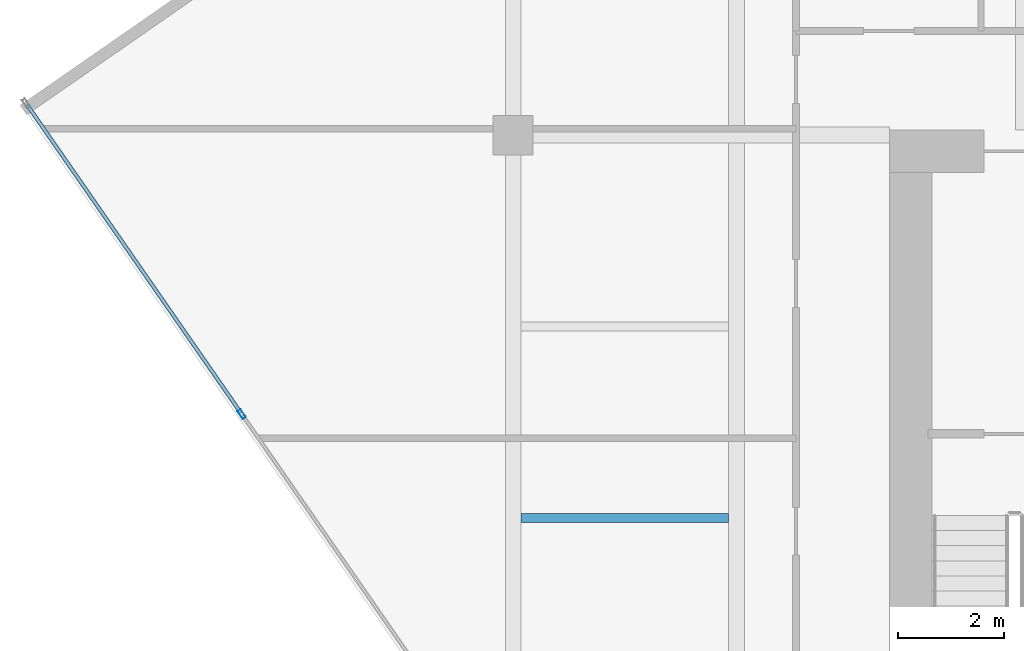
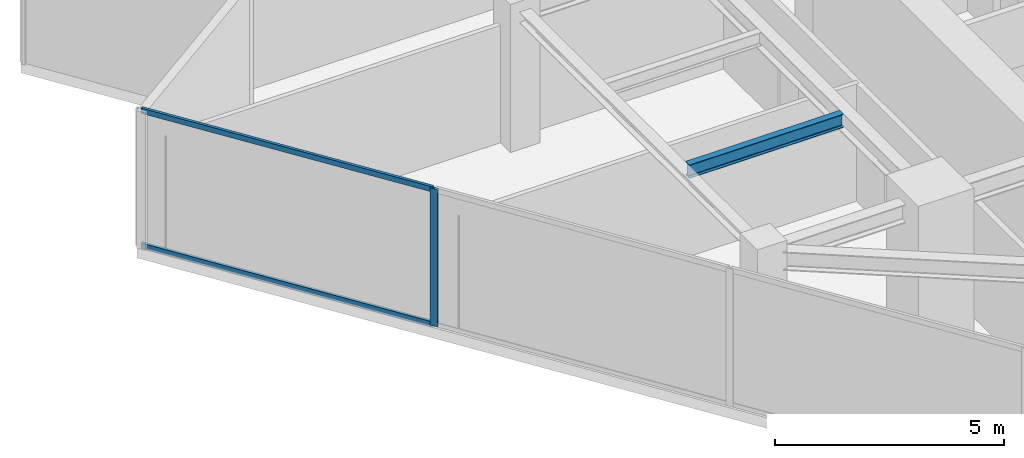
# One storey, part 4 of 21: 3 members, 1 beam, 1 element without a shape of its own.
"""IFC4 building model written with IfcOpenShell, lengths in metres."""

from ifc_helpers import new_model, si_unit, direction, frame, origin, origin_2d, place, context, subcontext, project, spatial, hollow_rectangle, i_section, extrude, source, transform, mapped, material, material_profile, profile_set, type_object, type_shapes, element, aggregate, save


model = new_model("IFC4")

# Units and contexts
model_context = context("Model", 3, precision=1e-05, world=origin(), true_north=direction((0.0, 1.0)))
body_context = subcontext(model_context, "Body", "Model", "MODEL_VIEW")
ifc_project = project(units=[si_unit("LENGTHUNIT", "METRE"), si_unit("AREAUNIT", "SQUARE_METRE"), si_unit("VOLUMEUNIT", "CUBIC_METRE"), si_unit("PLANEANGLEUNIT", "RADIAN"), si_unit("MASSUNIT", "GRAM", prefix="KILO")], contexts=[model_context])

# Site, building, storey
site_placement = place(None, origin())
site = spatial("IfcSite", under=ifc_project, at=site_placement, CompositionType="ELEMENT")
building_placement = place(site_placement, origin())
building = spatial("IfcBuilding", under=site, at=building_placement, Name="Krantzveldt Concourse Tower", CompositionType="ELEMENT")
storey_placement = place(building_placement, frame((0.0, 0.0, 275.300048828125)))
storey = spatial("IfcBuildingStorey", under=building, at=storey_placement, Name="L67", CompositionType="ELEMENT", Elevation=275.300048828125)

# Beam
ifc_material_1 = material(Name="Steel S355JR", Category="steel")
ifc_material_profile_1 = material_profile(ifc_material_1, i_section(OverallWidth=0.169921875, OverallDepth=0.360107421875, WebThickness=0.008056640625, FlangeThickness=0.0126953125, FilletRadius=0.01806640625, at=origin_2d()), Name="Steel S355JR", Category="steel")
ifc_profile_set_1 = profile_set([ifc_material_profile_1], Name="Steel S355JR - IPE 360")
beam_type = type_object("IfcBeamType", Name="BM-J-IPE360", PredefinedType="JOIST", material=ifc_profile_set_1)
shared_shape_1 = source(origin(), body_context, "Body", "SweptSolid", [
    extrude(i_section(OverallWidth=0.169921875, OverallDepth=0.360107421875, WebThickness=0.008056640625, FlangeThickness=0.0126953125, FilletRadius=0.01806640625, at=origin_2d()), origin(), (0.0, 0.0, 1.0), 3.900146484375),
])
type_shapes(beam_type, [shared_shape_1])
beam_placement = place(storey_placement, frame((21.14990234375, 19.5, 3.489990234375), z_axis=(1.0, 0.0, 0.0), x_axis=(0.0, 1.0, 0.0)))
element("IfcBeam", 1, at=beam_placement, inside=storey, type_object=beam_type, Name="L67 Secondary Floor Joist JW-1", PredefinedType="JOIST", context=body_context, shape_type="MappedRepresentation", body=[
    mapped(shared_shape_1, transform((0.0, 0.0, 0.0), x_axis=(1.0, 0.0, 0.0), y_axis=(0.0, 1.0, 0.0), z_axis=(0.0, 0.0, 1.0), scale=1.0)),
])

# Curtain wall, members
ifc_material_2 = material(Name="Anodised aluminium 6063-T6", Category="aluminium")
curtain_wall_type = type_object("IfcCurtainWallType", Name="CW4", PredefinedType="USERDEFINED", material=ifc_material_2)
curtain_wall_placement = place(storey_placement, origin())
curtain_wall = element("IfcCurtainWall", 2, at=curtain_wall_placement, inside=storey, type_object=curtain_wall_type, Name="CW-L67-F08", ObjectType="UNITISED CURTAIN WALL", PredefinedType="USERDEFINED")
ifc_material_profile_2 = material_profile(ifc_material_2, hollow_rectangle(XDim=0.070068359375, YDim=0.179931640625, WallThickness=0.0048828125, at=origin_2d()), Name="Anodised aluminium 6063-T6", Category="aluminium")
ifc_profile_set_2 = profile_set([ifc_material_profile_2], Name="Anodised aluminium 6063-T6 - ALU-MULL 180x70x5")
member_type_1 = type_object("IfcMemberType", Name="CW-MUL-180", PredefinedType="MULLION", material=ifc_profile_set_2)
shared_shape_2 = source(origin(), body_context, "Body", "SweptSolid", [
    extrude(hollow_rectangle(XDim=0.070068359375, YDim=0.179931640625, WallThickness=0.0048828125, at=origin_2d()), origin(), (0.0, 0.0, 1.0), 3.669921875),
])
type_shapes(member_type_1, [shared_shape_2])
member_1_placement = place(storey_placement, frame((15.894287109375, 21.4541015625, 0.0), z_axis=(0.0, 0.0, 1.0), x_axis=(0.821647031735, 0.569996627395, 0.0)))
member_1 = element("IfcMember", 3, at=member_1_placement, type_object=member_type_1, Name="CW-Z56 mullion 2", PredefinedType="MULLION", context=body_context, shape_type="MappedRepresentation", body=[
    mapped(shared_shape_2, transform((0.0, 0.0, 0.0), x_axis=(1.0, 0.0, 0.0), y_axis=(0.0, 1.0, 0.0), z_axis=(0.0, 0.0, 1.0), scale=1.0)),
])
ifc_material_profile_3 = material_profile(ifc_material_2, hollow_rectangle(XDim=0.070068359375, YDim=0.139892578125, WallThickness=0.0048828125, at=origin_2d()), Name="Anodised aluminium 6063-T6", Category="aluminium")
ifc_profile_set_3 = profile_set([ifc_material_profile_3], Name="Anodised aluminium 6063-T6 - ALU-TRAN 140x70x5")
member_type_2 = type_object("IfcMemberType", Name="CW-TRN-150", PredefinedType="USERDEFINED", material=ifc_profile_set_3)
shared_shape_3 = source(origin(), body_context, "Body", "SweptSolid", [
    extrude(hollow_rectangle(XDim=0.070068359375, YDim=0.139892578125, WallThickness=0.0048828125, at=origin_2d()), origin(), (0.0, 0.0, 1.0), 7.045166015625),
])
type_shapes(member_type_2, [shared_shape_3])
member_2_placement = place(storey_placement, frame((11.858642578125, 27.271484375, 0.034912109375), z_axis=(0.569991796641, -0.821650382926, 0.0), x_axis=(0.821650382926, 0.569991796641, 0.0)))
member_2 = element("IfcMember", 4, at=member_2_placement, type_object=member_type_2, Name="CW-Z56 transom 1.1", ObjectType="TRANSOM", PredefinedType="USERDEFINED", context=body_context, shape_type="MappedRepresentation", body=[
    mapped(shared_shape_3, transform((0.0, 0.0, 0.0), x_axis=(1.0, 0.0, 0.0), y_axis=(0.0, 1.0, 0.0), z_axis=(0.0, 0.0, 1.0), scale=1.0)),
])
member_3_placement = place(storey_placement, frame((11.858642578125, 27.271484375, 3.635009765625), z_axis=(0.569991796641, -0.821650382926, 0.0), x_axis=(0.821650382926, 0.569991796641, 0.0)))
member_3 = element("IfcMember", 5, at=member_3_placement, type_object=member_type_2, Name="CW-Z56 transom 1.2", ObjectType="TRANSOM", PredefinedType="USERDEFINED", context=body_context, shape_type="MappedRepresentation", body=[
    mapped(shared_shape_3, transform((0.0, 0.0, 0.0), x_axis=(1.0, 0.0, 0.0), y_axis=(0.0, 1.0, 0.0), z_axis=(0.0, 0.0, 1.0), scale=1.0)),
])
aggregate(curtain_wall, [member_1, member_2, member_3])

save(model, "model.ifc")
